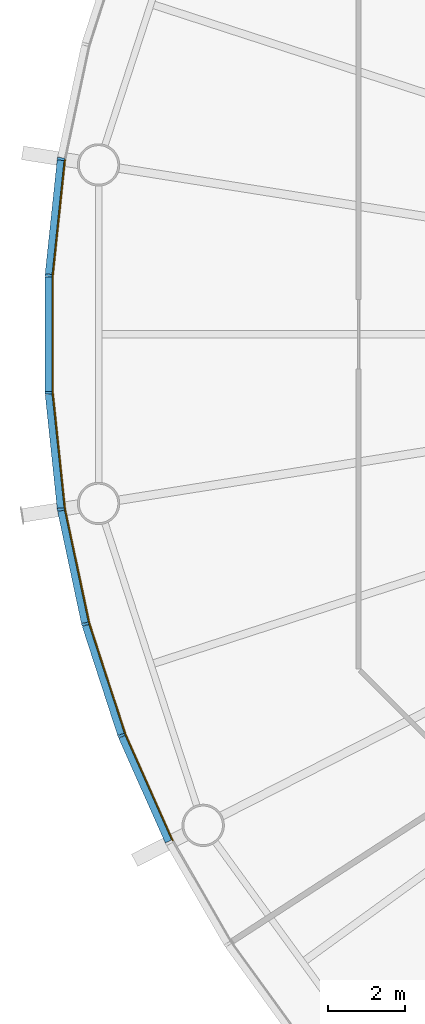
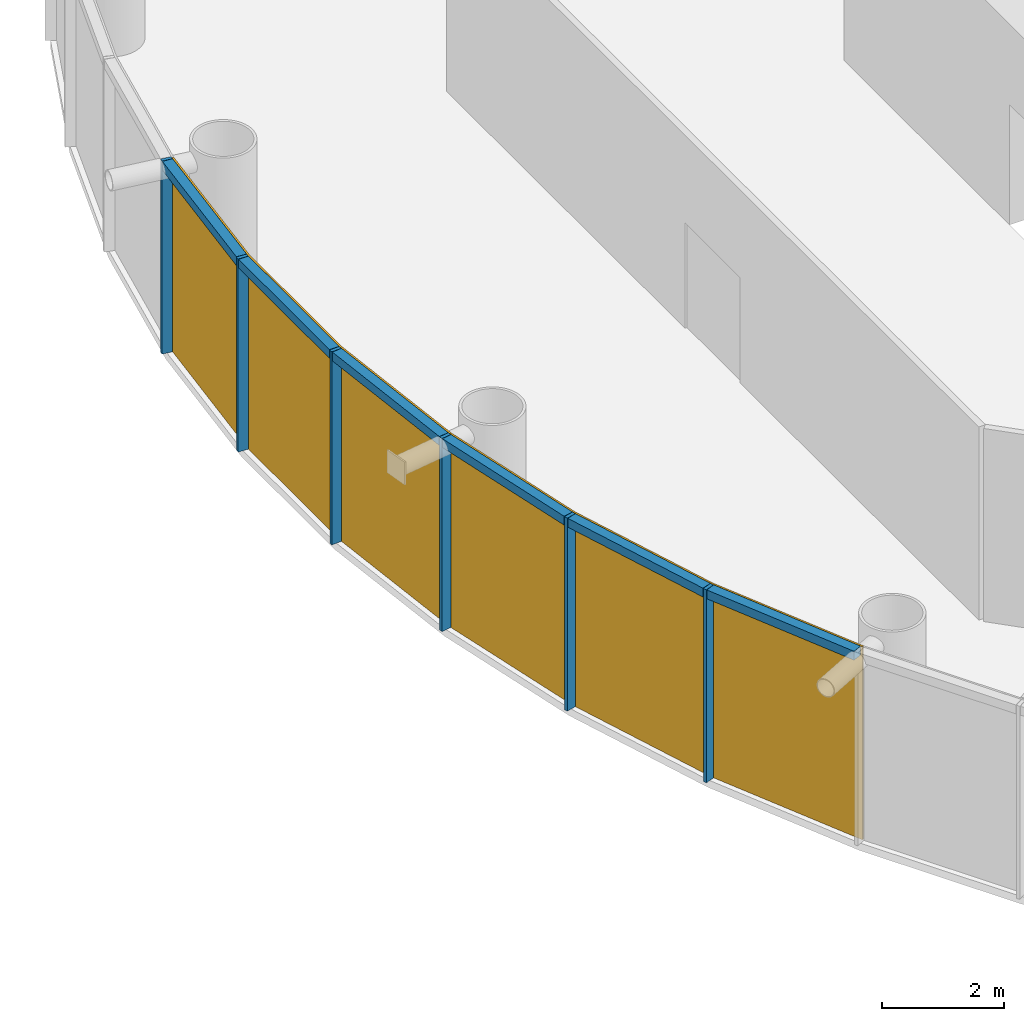
# One storey, part 12 of 17: 12 members, 2 curtain walls.
"""IFC4 building model written with IfcOpenShell, lengths in metres."""

import ifcopenshell
import ifcopenshell.guid

model = None  # the IFC model being written
_history = None  # IfcOwnerHistory: only IFC2X3 demands one
_inside = {}  # id of a spatial element -> (the spatial element, [elements in it])
_under = {}  # id of a project, library or spatial element -> (it, [spatial elements below it])
_declared = {}  # id of a project -> (the project, [libraries it declares])
_typed = {}  # id of a type object -> (the type object, [elements of that type])
_made_of = {}  # id of a material, layer set ... -> (it, [elements and type objects made of it])


def new_model(schema):
    """Start an empty IFC model of exactly this schema.

    Asked for "IFC4X3", IfcOpenShell would pick the latest addendum, in which some entities
    have other attributes; the version numbers below select the first issue.
    IFC2X3 requires an IfcOwnerHistory on every rooted entity: one is made here for all.
    """
    global model, _history
    if schema == "IFC4X3":
        model = ifcopenshell.file(schema_version=(4, 3, 0, 0))
    else:
        model = ifcopenshell.file(schema=schema)
    _inside.clear()
    _under.clear()
    _declared.clear()
    _typed.clear()
    _made_of.clear()
    _history = None
    if model.schema == "IFC2X3":
        org = make("IfcOrganization", Name="unknown")
        user = make(
            "IfcPersonAndOrganization",
            ThePerson=make("IfcPerson", FamilyName="unknown"),
            TheOrganization=org,
        )
        app = make(
            "IfcApplication",
            ApplicationDeveloper=org,
            Version="unknown",
            ApplicationFullName="unknown",
            ApplicationIdentifier="unknown",
        )
        _history = make(
            "IfcOwnerHistory",
            OwningUser=user,
            OwningApplication=app,
            ChangeAction="ADDED",
            CreationDate=0,
        )
    return model


def make(cls, **values):
    """One entity of the class cls with the attributes given. An attribute that is None is left unset."""
    return model.create_entity(
        cls, **{name: value for name, value in values.items() if value is not None}
    )


def rooted(cls, **values):
    """An entity with a GlobalId (a new one), such as an element, a storey or a relation."""
    return make(cls, GlobalId=ifcopenshell.guid.new(), OwnerHistory=_history, **values)


def si_unit(unit_type, name, prefix=None):
    """IfcSIUnit, for example si_unit("LENGTHUNIT", "METRE", prefix="MILLI")."""
    return make("IfcSIUnit", UnitType=unit_type, Prefix=prefix, Name=name)


def assignment(units):
    """IfcUnitAssignment: the units of a project."""
    return None if units is None else make("IfcUnitAssignment", Units=units)


def point(xyz):
    """IfcCartesianPoint."""
    return None if xyz is None else make("IfcCartesianPoint", Coordinates=xyz)


def direction(xyz):
    """IfcDirection."""
    return None if xyz is None else make("IfcDirection", DirectionRatios=xyz)


def frame(location, z_axis=None, x_axis=None):
    """IfcAxis2Placement3D, a coordinate frame: its origin and axes. An axis left out is left unset."""
    return make(
        "IfcAxis2Placement3D",
        Location=point(location),
        Axis=direction(z_axis),
        RefDirection=direction(x_axis),
    )


def frame_2d(location, x_axis=None):
    """IfcAxis2Placement2D, a coordinate frame in the plane: its origin and x axis."""
    return make(
        "IfcAxis2Placement2D", Location=point(location), RefDirection=direction(x_axis)
    )


def origin():
    """The frame at (0, 0, 0) with its axes left unset."""
    return frame((0.0, 0.0, 0.0))


def origin_2d():
    """The frame at (0, 0) in the plane with its x axis left unset."""
    return frame_2d((0.0, 0.0))


def place(relative_to, where):
    """IfcLocalPlacement: puts the frame where relative to a parent placement (None: the world)."""
    return make(
        "IfcLocalPlacement", PlacementRelTo=relative_to, RelativePlacement=where
    )


def context(
    kind, dimensions, precision=None, world=None, true_north=None, identifier=None
):
    """IfcGeometricRepresentationContext, for example the 3D "Model" context."""
    return make(
        "IfcGeometricRepresentationContext",
        ContextIdentifier=identifier,
        ContextType=kind,
        CoordinateSpaceDimension=dimensions,
        Precision=precision,
        WorldCoordinateSystem=world,
        TrueNorth=true_north,
    )


def subcontext(parent, identifier, kind, view, scale=None):
    """IfcGeometricRepresentationSubContext, for example "Body" below "Model"."""
    return make(
        "IfcGeometricRepresentationSubContext",
        ContextIdentifier=identifier,
        ContextType=kind,
        ParentContext=parent,
        TargetScale=scale,
        TargetView=view,
    )


def project(units=None, contexts=None):
    """IfcProject with its units and contexts."""
    return rooted(
        "IfcProject",
        Name="project",
        RepresentationContexts=contexts,
        UnitsInContext=assignment(units),
    )


def spatial(cls, under=None, at=None, **own):
    """A site, building, storey or space (cls), placed at a placement, below another one or the project."""
    s = rooted(cls, ObjectPlacement=at, **own)
    if under is not None:
        _under.setdefault(under.id(), (under, []))[1].append(s)
    return s


def polyline(points):
    """IfcPolyline through the points."""
    return make("IfcPolyline", Points=[point(p) for p in points])


def profile(cls, at=None, kind="AREA", **sizes):
    """A parametric profile (cls). Its sizes go by their IFC names, for example OverallWidth=200.0."""
    return make(cls, ProfileType=kind, Position=at, **sizes)


def rectangle(**sizes):
    """IfcRectangleProfileDef."""
    return profile("IfcRectangleProfileDef", **sizes)


def outline(outer, holes=None, kind="AREA"):
    """IfcArbitraryClosedProfileDef: a profile drawn as a closed curve; with holes, ...WithVoids."""
    if holes is None:
        return make("IfcArbitraryClosedProfileDef", ProfileType=kind, OuterCurve=outer)
    return make(
        "IfcArbitraryProfileDefWithVoids",
        ProfileType=kind,
        OuterCurve=outer,
        InnerCurves=holes,
    )


def extrude(swept, where, along, depth):
    """IfcExtrudedAreaSolid: the profile swept, set in the frame where, extruded along a direction by depth."""
    return make(
        "IfcExtrudedAreaSolid",
        SweptArea=swept,
        Position=where,
        ExtrudedDirection=direction(along),
        Depth=depth,
    )


def shape(context_of_items, identifier, shape_type, items):
    """IfcShapeRepresentation: the items that make up one representation, for example the "Body"."""
    return make(
        "IfcShapeRepresentation",
        ContextOfItems=context_of_items,
        RepresentationIdentifier=identifier,
        RepresentationType=shape_type,
        Items=items,
    )


def material(Name=None, Category=None):
    """IfcMaterial."""
    return make("IfcMaterial", Name=Name, Category=Category)


def layer(
    of_material, thickness, ventilated=None, Name=None, Category=None, Priority=None
):
    """IfcMaterialLayer: one layer of a wall or slab, of a material (None: an air gap)."""
    return make(
        "IfcMaterialLayer",
        Material=of_material,
        LayerThickness=thickness,
        IsVentilated=ventilated,
        Name=Name,
        Category=Category,
        Priority=Priority,
    )


def layer_set(layers, Name=None):
    """IfcMaterialLayerSet."""
    return make("IfcMaterialLayerSet", MaterialLayers=layers, LayerSetName=Name)


def material_profile(
    of_material, cross_section, Name=None, Category=None, Priority=None
):
    """IfcMaterialProfile: a cross section and its material."""
    return make(
        "IfcMaterialProfile",
        Name=Name,
        Material=of_material,
        Profile=cross_section,
        Priority=Priority,
        Category=Category,
    )


def profile_set(profiles, Name=None, composite=None):
    """IfcMaterialProfileSet."""
    return make(
        "IfcMaterialProfileSet",
        Name=Name,
        MaterialProfiles=profiles,
        CompositeProfile=composite,
    )


def made_of(thing, what):
    """Note that an element or type object is made of a material, layer set ...; save() writes the relation."""
    if what is not None:
        _made_of.setdefault(what.id(), (what, []))[1].append(thing)
    return thing


def type_object(cls, material=None, **own):
    """A type object (cls), such as IfcWallType, which elements share."""
    return made_of(rooted(cls, **own), material)


def element(
    cls,
    number,
    at=None,
    inside=None,
    cuts=None,
    type_object=None,
    material=None,
    context=None,
    identifier="Body",
    shape_type=None,
    held_by="IfcProductDefinitionShape",
    body=None,
    shapes=None,
    **own,
):
    """One element of the class cls, such as IfcWall. Its Tag is "e" and its number.

    at: its placement. inside: the storey or other place that contains it. cuts: it is an
    opening in that element (IfcRelVoidsElement). A single representation is given by context,
    identifier, shape_type and body (its items); several are given by shapes. held_by: the class
    of the entity that holds the representations. save() writes the other relations.
    """
    e = rooted(cls, Tag="e%d" % number, ObjectPlacement=at, **own)
    if body is not None:
        shapes = [shape(context, identifier, shape_type, body)]
    if shapes is not None:
        e.Representation = make(held_by, Representations=shapes)
    if inside is not None:
        _inside.setdefault(inside.id(), (inside, []))[1].append(e)
    if cuts is not None:
        rooted(
            "IfcRelVoidsElement", RelatingBuildingElement=cuts, RelatedOpeningElement=e
        )
    if type_object is not None:
        _typed.setdefault(type_object.id(), (type_object, []))[1].append(e)
    return made_of(e, material)


def aggregate(whole, parts):
    """IfcRelAggregates: a whole, such as a stair, and the parts it consists of."""
    return rooted("IfcRelAggregates", RelatingObject=whole, RelatedObjects=parts)


def save(model, path):
    """Write the relations noted so far, then the file.

    IfcRelAggregates (storeys below a building ...), IfcRelContainedInSpatialStructure (elements
    in a storey), IfcRelDefinesByType, IfcRelAssociatesMaterial and IfcRelDeclares: one each for
    every whole, place, type object, material and project.
    """
    for whole, parts in _under.values():
        aggregate(whole, parts)
    for where, things in _inside.values():
        rooted(
            "IfcRelContainedInSpatialStructure",
            RelatedElements=things,
            RelatingStructure=where,
        )
    for kind, things in _typed.values():
        rooted("IfcRelDefinesByType", RelatedObjects=things, RelatingType=kind)
    for what, things in _made_of.values():
        rooted("IfcRelAssociatesMaterial", RelatedObjects=things, RelatingMaterial=what)
    for by, libraries in _declared.values():
        rooted("IfcRelDeclares", RelatingContext=by, RelatedDefinitions=libraries)
    model.write(path)


model = new_model("IFC4")

# Units and contexts
model_context = context("Model", 3, precision=1e-05, world=origin(), true_north=direction((0.0, 1.0)))
body_context = subcontext(model_context, "Body", "Model", "MODEL_VIEW")
ifc_project = project(units=[si_unit("LENGTHUNIT", "METRE"), si_unit("AREAUNIT", "SQUARE_METRE"), si_unit("VOLUMEUNIT", "CUBIC_METRE"), si_unit("PLANEANGLEUNIT", "RADIAN"), si_unit("MASSUNIT", "GRAM", prefix="KILO")], contexts=[model_context])

# Member
ifc_material_1 = material(Name="Anodised aluminium", Category="aluminium")
ifc_material_profile_1 = material_profile(ifc_material_1, rectangle(XDim=0.06494140625, YDim=0.18505859375, at=origin_2d()), Name="Mullion 65 x 185 mm anodised aluminium")
ifc_profile_set_1 = profile_set([ifc_material_profile_1], Name="Anodised aluminium")
member_type_1 = type_object("IfcMemberType", Name="Mullion 65 x 185 mm anodised aluminium", PredefinedType="MULLION", material=ifc_profile_set_1)
site_placement = place(None, origin())
building_placement = place(site_placement, origin())
storey_placement = place(building_placement, frame((0.0, 0.0, 160.0)))
member_1_placement = place(storey_placement, frame((61.265625, 84.551025390625, 0.0), z_axis=(0.0, 0.0, 1.0), x_axis=(-0.15643446504, -0.987688340595, 0.0)))
member_1 = element("IfcMember", 1, at=member_1_placement, type_object=member_type_1, Name="MULLION L36-27", PredefinedType="MULLION", context=body_context, shape_type="SweptSolid", body=[
    extrude(rectangle(XDim=0.06494140625, YDim=0.18505859375, at=origin_2d()), origin(), (0.0, 0.0, 1.0), 3.85009765625),
])

member_2_placement = place(storey_placement, frame((60.947265625, 81.522705078125, 0.0), z_axis=(0.0, 0.0, 1.0), x_axis=(-0.052335956243, -0.998629534755, 0.0)))
member_2 = element("IfcMember", 2, at=member_2_placement, type_object=member_type_1, Name="MULLION L36-28", PredefinedType="MULLION", context=body_context, shape_type="SweptSolid", body=[
    extrude(rectangle(XDim=0.06494140625, YDim=0.18505859375, at=origin_2d()), origin(), (0.0, 0.0, 1.0), 3.85009765625),
])

member_3_placement = place(storey_placement, frame((60.947265625, 78.477294921875, 0.0), z_axis=(0.0, 0.0, 1.0), x_axis=(0.052335956243, -0.998629534755, 0.0)))
member_3 = element("IfcMember", 3, at=member_3_placement, type_object=member_type_1, Name="MULLION L36-29", PredefinedType="MULLION", context=body_context, shape_type="SweptSolid", body=[
    extrude(rectangle(XDim=0.06494140625, YDim=0.18505859375, at=origin_2d()), origin(), (0.0, 0.0, 1.0), 3.85009765625),
])

member_4_placement = place(storey_placement, frame((61.265625, 75.448974609375, 0.0), z_axis=(0.0, 0.0, 1.0), x_axis=(0.15643446504, -0.987688340595, 0.0)))
member_4 = element("IfcMember", 4, at=member_4_placement, type_object=member_type_1, Name="MULLION L36-30", PredefinedType="MULLION", context=body_context, shape_type="SweptSolid", body=[
    extrude(rectangle(XDim=0.06494140625, YDim=0.18505859375, at=origin_2d()), origin(), (0.0, 0.0, 1.0), 3.85009765625),
])

member_5_placement = place(storey_placement, frame((61.898681640625, 72.47021484375, 0.0), z_axis=(0.0, 0.0, 1.0), x_axis=(0.258819045103, -0.965925826289, 0.0)))
member_5 = element("IfcMember", 5, at=member_5_placement, type_object=member_type_1, Name="MULLION L36-31", PredefinedType="MULLION", context=body_context, shape_type="SweptSolid", body=[
    extrude(rectangle(XDim=0.06494140625, YDim=0.18505859375, at=origin_2d()), origin(), (0.0, 0.0, 1.0), 3.85009765625),
])

member_6_placement = place(storey_placement, frame((62.83984375, 69.57421875, 0.0), z_axis=(0.0, 0.0, 1.0), x_axis=(0.358367949545, -0.933580426497, 0.0)))
member_6 = element("IfcMember", 6, at=member_6_placement, type_object=member_type_1, Name="MULLION L36-32", PredefinedType="MULLION", context=body_context, shape_type="SweptSolid", body=[
    extrude(rectangle(XDim=0.06494140625, YDim=0.18505859375, at=origin_2d()), origin(), (0.0, 0.0, 1.0), 3.85009765625),
])

ifc_material_2 = material(Name="Anodised aluminium", Category="aluminium")
ifc_material_profile_2 = material_profile(ifc_material_2, rectangle(XDim=0.18505859375, YDim=0.175048828125, at=origin_2d()), Name="Transom 175 x 185 mm anodised aluminium")
ifc_profile_set_2 = profile_set([ifc_material_profile_2], Name="Anodised aluminium")
member_type_2 = type_object("IfcMemberType", Name="Transom 175 x 185 mm anodised aluminium", PredefinedType="USERDEFINED", material=ifc_profile_set_2)
member_7_placement = place(storey_placement, frame((61.26171875, 84.513916015625, 3.762451171875), z_axis=(-0.104547872381, -0.994519855197, 0.0), x_axis=(0.994519855197, -0.104547872381, 0.0)))
member_7 = element("IfcMember", 7, at=member_7_placement, type_object=member_type_2, Name="TRANSOM L36-27", ObjectType="TRANSOM", PredefinedType="USERDEFINED", context=body_context, shape_type="SweptSolid", body=[
    extrude(rectangle(XDim=0.18505859375, YDim=0.175048828125, at=origin_2d()), origin(), (0.0, 0.0, 1.0), 2.970458984375),
])

member_8_placement = place(storey_placement, frame((60.947265625, 81.4853515625, 3.762451171875), z_axis=(0.0, -1.0, 0.0), x_axis=(1.0, 0.0, 0.0)))
member_8 = element("IfcMember", 8, at=member_8_placement, type_object=member_type_2, Name="TRANSOM L36-28", ObjectType="TRANSOM", PredefinedType="USERDEFINED", context=body_context, shape_type="SweptSolid", body=[
    extrude(rectangle(XDim=0.18505859375, YDim=0.175048828125, at=origin_2d()), origin(), (0.0, 0.0, 1.0), 2.970703125),
])

member_9_placement = place(storey_placement, frame((60.951171875, 78.440185546875, 3.762451171875), z_axis=(0.104547872381, -0.994519855197, 0.0), x_axis=(0.994519855197, 0.104547872381, 0.0)))
member_9 = element("IfcMember", 9, at=member_9_placement, type_object=member_type_2, Name="TRANSOM L36-29", ObjectType="TRANSOM", PredefinedType="USERDEFINED", context=body_context, shape_type="SweptSolid", body=[
    extrude(rectangle(XDim=0.18505859375, YDim=0.175048828125, at=origin_2d()), origin(), (0.0, 0.0, 1.0), 2.970458984375),
])

member_10_placement = place(storey_placement, frame((61.2734375, 75.412353515625, 3.762451171875), z_axis=(0.207861704825, -0.97815822425, 0.0), x_axis=(0.97815822425, 0.207861704825, 0.0)))
member_10 = element("IfcMember", 10, at=member_10_placement, type_object=member_type_2, Name="TRANSOM L36-30", ObjectType="TRANSOM", PredefinedType="USERDEFINED", context=body_context, shape_type="SweptSolid", body=[
    extrude(rectangle(XDim=0.18505859375, YDim=0.175048828125, at=origin_2d()), origin(), (0.0, 0.0, 1.0), 2.970458984375),
])

member_11_placement = place(storey_placement, frame((61.91015625, 72.434814453125, 3.762451171875), z_axis=(0.30901917063, -0.951055809184, 0.0), x_axis=(0.951055809184, 0.30901917063, 0.0)))
member_11 = element("IfcMember", 11, at=member_11_placement, type_object=member_type_2, Name="TRANSOM L36-31", ObjectType="TRANSOM", PredefinedType="USERDEFINED", context=body_context, shape_type="SweptSolid", body=[
    extrude(rectangle(XDim=0.18505859375, YDim=0.175048828125, at=origin_2d()), origin(), (0.0, 0.0, 1.0), 2.970703125),
])

member_12_placement = place(storey_placement, frame((62.85498046875, 69.5400390625, 3.762451171875), z_axis=(0.406687471156, -0.913567348806, 0.0), x_axis=(0.913567348806, 0.406687471156, 0.0)))
member_12 = element("IfcMember", 12, at=member_12_placement, type_object=member_type_2, Name="TRANSOM L36-32", ObjectType="TRANSOM", PredefinedType="USERDEFINED", context=body_context, shape_type="SweptSolid", body=[
    extrude(rectangle(XDim=0.18505859375, YDim=0.175048828125, at=origin_2d()), origin(), (0.0, 0.0, 1.0), 2.970458984375),
])

# Site, building, storey
site = spatial("IfcSite", under=ifc_project, at=site_placement, CompositionType="ELEMENT")
building = spatial("IfcBuilding", under=site, at=building_placement, Name="Entoto Ring Tower", CompositionType="ELEMENT")
storey = spatial("IfcBuildingStorey", under=building, at=storey_placement, Name="L36", CompositionType="ELEMENT", Elevation=160.0)

# Curtain wall
ifc_material_3 = material(Name="Clear low-iron glass", Category="glass")
ifc_layer = layer(ifc_material_3, 0.033935546875)
ifc_layer_set = layer_set([ifc_layer], Name="Clear low-iron glass")
curtain_wall_type = type_object("IfcCurtainWallType", Name="Curtain wall system CW3 glazing 34 mm", PredefinedType="NOTDEFINED", material=ifc_layer_set)
curtain_wall_1_placement = place(storey_placement, origin())
curtain_wall_1 = element("IfcCurtainWall", 13, at=curtain_wall_1_placement, inside=storey, type_object=curtain_wall_type, Name="CW3 L36-10", PredefinedType="NOTDEFINED", context=body_context, shape_type="SweptSolid", body=[
    extrude(outline(polyline([(61.35693359375, 84.53662109375), (61.039794921875, 81.517822265625), (61.039794921875, 78.482177734375), (61.35693359375, 75.46337890625), (61.390625, 75.46875), (61.07373046875, 78.484130859375), (61.07373046875, 81.515869140625), (61.390625, 84.53125), (61.35693359375, 84.53662109375)])), origin(), (0.0, 0.0, 1.0), 3.85009765625),
])

aggregate(curtain_wall_1, [member_1, member_2, member_3, member_7, member_8, member_9])

curtain_wall_2_placement = place(storey_placement, origin())
curtain_wall_2 = element("IfcCurtainWall", 14, at=curtain_wall_2_placement, inside=storey, type_object=curtain_wall_type, Name="CW3 L36-11", PredefinedType="NOTDEFINED", context=body_context, shape_type="SweptSolid", body=[
    extrude(outline(polyline([(61.35693359375, 75.46337890625), (61.988037109375, 72.494140625), (62.92626953125, 69.607421875), (64.160888671875, 66.834228515625), (64.191162109375, 66.849853515625), (62.9580078125, 69.61962890625), (62.02099609375, 72.503173828125), (61.390625, 75.46875), (61.35693359375, 75.46337890625)])), origin(), (0.0, 0.0, 1.0), 3.85009765625),
])

aggregate(curtain_wall_2, [member_4, member_5, member_6, member_10, member_11, member_12])

save(model, "model.ifc")
